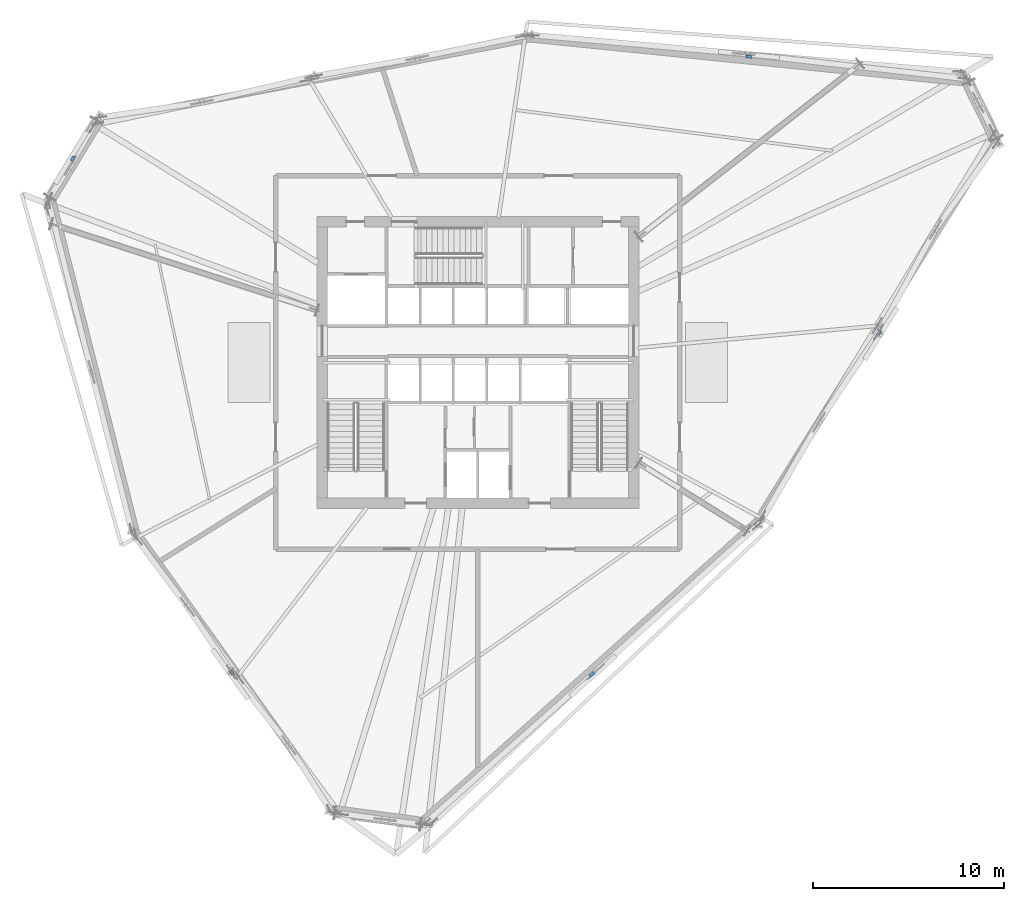
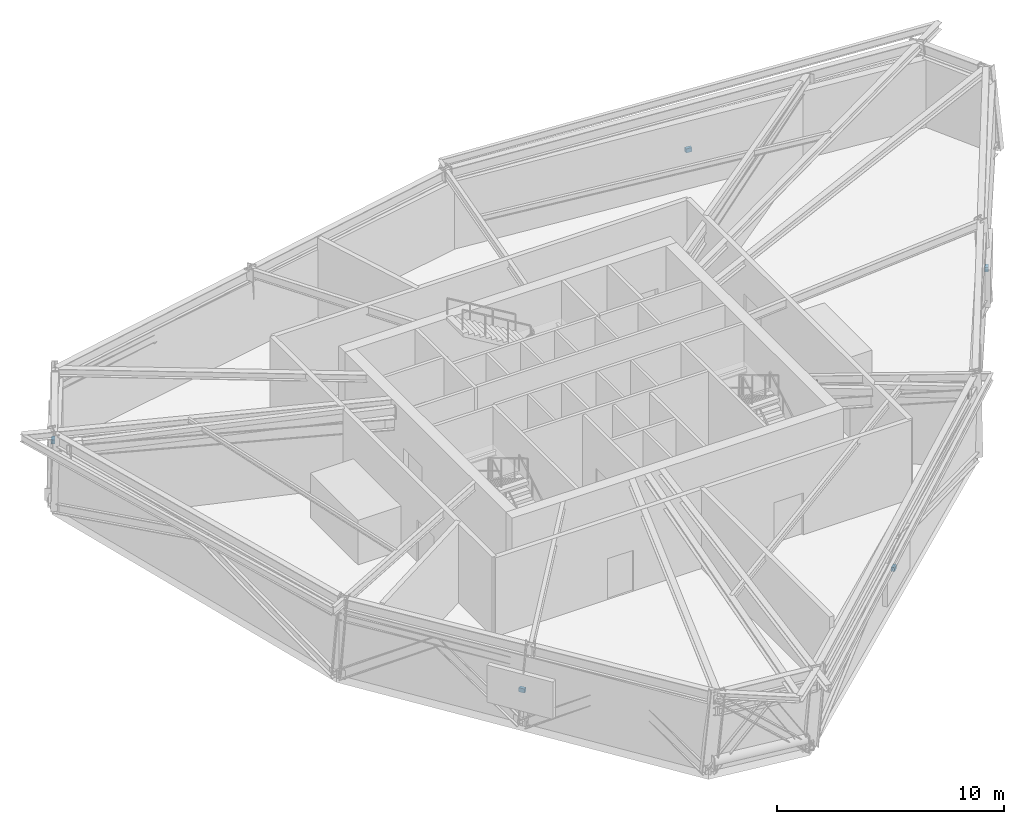
# One storey, part 11 of 14: 5 discrete accessories.
"""IFC4 building model written with IfcOpenShell, lengths in metres."""

from ifc_helpers import new_model, si_unit, direction, frame, origin, origin_2d, place, context, subcontext, project, spatial, rectangle, extrude, source, transform, mapped, material, type_object, element, save


model = new_model("IFC4")

# Units and contexts
model_context = context("Model", 3, precision=1e-05, world=origin(), true_north=direction((0.0, 1.0)))
body_context = subcontext(model_context, "Body", "Model", "MODEL_VIEW")
ifc_project = project(units=[si_unit("LENGTHUNIT", "METRE"), si_unit("AREAUNIT", "SQUARE_METRE"), si_unit("VOLUMEUNIT", "CUBIC_METRE"), si_unit("PLANEANGLEUNIT", "RADIAN"), si_unit("MASSUNIT", "GRAM", prefix="KILO")], contexts=[model_context])

# Site, building, storey
site_placement = place(None, origin())
site = spatial("IfcSite", under=ifc_project, at=site_placement, CompositionType="ELEMENT")
building_placement = place(site_placement, origin())
building = spatial("IfcBuilding", under=site, at=building_placement, Name="Olszyna Solenne Hotel", CompositionType="ELEMENT")
storey_placement = place(building_placement, frame((0.0, 0.0, 142.10009765625)))
storey = spatial("IfcBuildingStorey", under=building, at=storey_placement, Name="L37", CompositionType="ELEMENT", Elevation=142.10009765625)

# Discrete accessories
ifc_material = material(Name="Steel S355J2", Category="steel")
discrete_accessory_type = type_object("IfcDiscreteAccessoryType", Name="BRK-01", PredefinedType="BRACKET", material=ifc_material)
shared_shape = source(origin(), body_context, "Body", "SweptSolid", [
    extrude(rectangle(XDim=0.280029296875, YDim=0.159912109375, at=origin_2d()), origin(), (0.0, 0.0, 1.0), 0.219970703125),
])
for number, where, z_axis, x_axis, name in (
    (1, (43.974609375, 10.230712890625, 1.7109375), (0.0, 0.0, 1.0), (-0.745010490606, -0.667052748205, 0.0), "Facade support bracket BRK-LV-L37-01"),
    (2, (25.091552734375, 10.317138671875, 1.7109375), (0.0, 0.0, 1.0), (-0.580987100252, 0.813912765191, 0.0), "Facade support bracket BRK-LV-L37-03"),
    (3, (16.7490234375, 37.2939453125, 1.7109375), (0.0, 0.0, 1.0), (0.51951911188, 0.854458830133, 0.0), "Facade support bracket BRK-LV-L37-05"),
    (4, (52.21142578125, 42.646728515625, 1.7109375), (0.0, 0.0, 1.0), (0.994951016981, -0.100361714851, 0.0), "Facade support bracket BRK-LV-L37-07"),
    (5, (59.050537109375, 28.165283203125, 1.7109375), (0.0, 0.0, 1.0), (-0.529030899945, -0.848602561216, 0.0), "Facade support bracket BRK-LV-L37-09"),
):
    element("IfcDiscreteAccessory", number, at=place(storey_placement, frame(where, z_axis=z_axis, x_axis=x_axis)), inside=storey, type_object=discrete_accessory_type, Name=name, PredefinedType="BRACKET", context=body_context, shape_type="MappedRepresentation", body=[
        mapped(shared_shape, transform((0.0, 0.0, 0.0), x_axis=(1.0, 0.0, 0.0), y_axis=(0.0, 1.0, 0.0), z_axis=(0.0, 0.0, 1.0), scale=1.0)),
    ])

save(model, "model.ifc")
